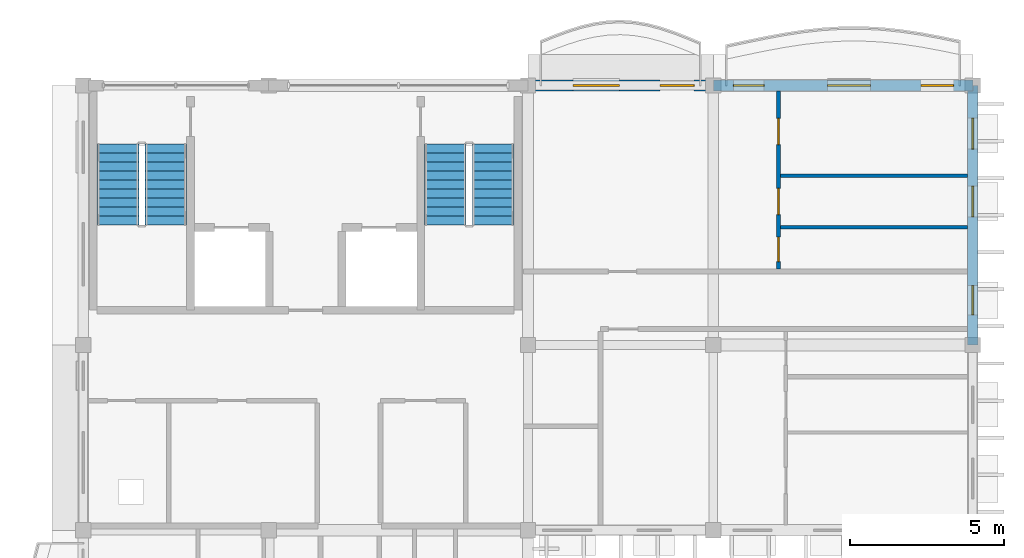
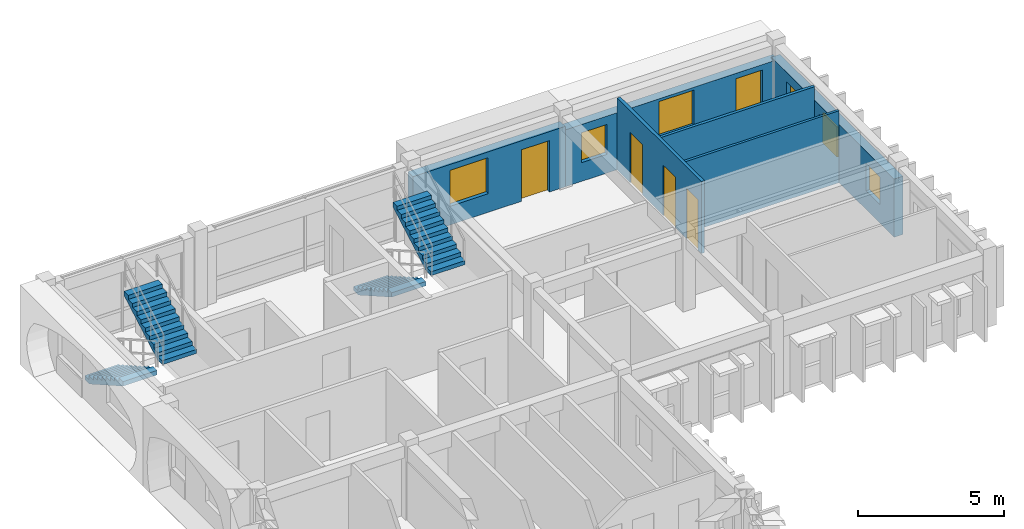
# One storey, part 7 of 11: 6 walls, 6 windows, 5 doors, 4 stair flights, 11 openings, 2 elements without a shape of their own.
"""IFC4 building model written with IfcOpenShell, lengths in metres."""

from ifc_helpers import new_model, si_unit, direction, frame, frame_2d, origin, place, context, subcontext, project, spatial, polyline, rectangle, outline, extrude, material, layer, layer_set, type_object, element, fill, aggregate, save


model = new_model("IFC4")

# Units and contexts
model_context = context("Model", 3, precision=1e-05, world=origin(), true_north=direction((0.0, 1.0)))
body_context = subcontext(model_context, "Body", "Model", "MODEL_VIEW")
ifc_project = project(units=[si_unit("LENGTHUNIT", "METRE"), si_unit("AREAUNIT", "SQUARE_METRE"), si_unit("VOLUMEUNIT", "CUBIC_METRE"), si_unit("PLANEANGLEUNIT", "RADIAN"), si_unit("MASSUNIT", "GRAM", prefix="KILO"), si_unit("THERMODYNAMICTEMPERATUREUNIT", "KELVIN")], contexts=[model_context])

# Site, building, storey
site_placement = place(None, origin())
site = spatial("IfcSite", under=ifc_project, at=site_placement, CompositionType="ELEMENT")
building_placement = place(site_placement, origin())
building = spatial("IfcBuilding", under=site, at=building_placement, Name="Thalorik Housing Commons", CompositionType="ELEMENT")
storey_placement = place(building_placement, frame((0.0, 0.0, 47.699951171875)))
storey = spatial("IfcBuildingStorey", under=building, at=storey_placement, Name="L14", CompositionType="ELEMENT", Elevation=47.699951171875)

# Wall, openings, windows
ifc_material_1 = material(Name="White precast concrete C40/50", Category="concrete")
ifc_layer_1 = layer(ifc_material_1, 0.35009765625, Name="White precast concrete C40/50", Category="concrete")
ifc_layer_set_1 = layer_set([ifc_layer_1], Name="White precast concrete C40/50")
wall_type_1 = type_object("IfcWallType", Name="ARC-WAL-EXT-350", PredefinedType="STANDARD", material=ifc_layer_set_1)
wall_1_placement = place(storey_placement, frame((37.199951171875, 115.199951171875, 0.0), z_axis=(0.0, 0.0, 1.0), x_axis=(0.0, 1.0, 0.0)))
wall_1 = element("IfcWall", 1, at=wall_1_placement, inside=storey, type_object=wall_type_1, Name="L14 Exterior Wall WAL-EXT-L14-A-0336", PredefinedType="STANDARD", context=body_context, shape_type="SweptSolid", body=[
    extrude(rectangle(XDim=8.400146484375, YDim=0.35009765625, at=frame_2d((4.2001953125, 0.0))), origin(), (0.0, 0.0, 1.0), 2.425048828125),
])
opening_1_placement = place(wall_1_placement, frame((0.97509765625, 0.0, 0.780029296875)))
opening_1 = element("IfcOpeningElement", 2, at=opening_1_placement, cuts=wall_1, Name="Opening W-43", PredefinedType="OPENING", context=body_context, shape_type="SweptSolid", body=[
    extrude(rectangle(XDim=0.949951171875, YDim=1.14990234375, at=frame_2d((0.47509765625, 0.574951171875))), frame((0.0, 0.18505859375, 0.0), z_axis=(0.0, -1.0, 0.0), x_axis=(1.0, 0.0, 0.0)), (0.0, 0.0, 1.0), 0.3701171875),
])
opening_2_placement = place(wall_1_placement, frame((4.144775390625, 0.0, 0.780029296875)))
opening_2 = element("IfcOpeningElement", 3, at=opening_2_placement, cuts=wall_1, Name="Opening W-02", PredefinedType="OPENING", context=body_context, shape_type="SweptSolid", body=[
    extrude(rectangle(XDim=1.0, YDim=1.25, at=frame_2d((0.5, 0.625))), frame((0.0, 0.18505859375, 0.0), z_axis=(0.0, -1.0, 0.0), x_axis=(1.0, 0.0, 0.0)), (0.0, 0.0, 1.0), 0.3701171875),
])
opening_3_placement = place(wall_1_placement, frame((6.344482421875, 0.0, 0.780029296875)))
opening_3 = element("IfcOpeningElement", 4, at=opening_3_placement, cuts=wall_1, Name="Opening W-02", PredefinedType="OPENING", context=body_context, shape_type="SweptSolid", body=[
    extrude(rectangle(XDim=1.0, YDim=1.25, at=frame_2d((0.5, 0.625))), frame((0.0, 0.18505859375, 0.0), z_axis=(0.0, -1.0, 0.0), x_axis=(1.0, 0.0, 0.0)), (0.0, 0.0, 1.0), 0.3701171875),
])
ifc_material_2 = material(Name="Anodised aluminium and solar-control low-E glass", Category="aluminium")
window_type_1 = type_object("IfcWindowType", Name="ARC-WIN-02", PartitioningType="SINGLE_PANEL", PredefinedType="WINDOW", material=ifc_material_2)
window_1_placement = place(opening_2_placement, origin())
window_1 = element("IfcWindow", 5, at=window_1_placement, inside=storey, type_object=window_type_1, Name="L14 Facade Window 602", OverallHeight=1.25, OverallWidth=1.0, PartitioningType="SINGLE_PANEL", PredefinedType="WINDOW", context=body_context, shape_type="SweptSolid", body=[
    extrude(rectangle(XDim=1.0, YDim=1.25, at=frame_2d((0.5, 0.625))), frame((0.0, 0.030029296875, 0.0), z_axis=(0.0, -1.0, 0.0), x_axis=(1.0, 0.0, 0.0)), (0.0, 0.0, 1.0), 0.06005859375),
])
fill(opening_2, window_1)
window_2_placement = place(opening_3_placement, origin())
window_2 = element("IfcWindow", 6, at=window_2_placement, inside=storey, type_object=window_type_1, Name="L14 Facade Window 603", OverallHeight=1.25, OverallWidth=1.0, PartitioningType="SINGLE_PANEL", PredefinedType="WINDOW", context=body_context, shape_type="SweptSolid", body=[
    extrude(rectangle(XDim=1.0, YDim=1.25, at=frame_2d((0.5, 0.625))), frame((0.0, 0.030029296875, 0.0), z_axis=(0.0, -1.0, 0.0), x_axis=(1.0, 0.0, 0.0)), (0.0, 0.0, 1.0), 0.06005859375),
])
fill(opening_3, window_2)
window_type_2 = type_object("IfcWindowType", Name="ARC-WIN-43", PartitioningType="SINGLE_PANEL", PredefinedType="WINDOW", material=ifc_material_2)
window_3_placement = place(opening_1_placement, origin())
window_3 = element("IfcWindow", 7, at=window_3_placement, inside=storey, type_object=window_type_2, Name="L14 Facade Window 601", OverallHeight=1.14990234375, OverallWidth=0.949951171875, PartitioningType="SINGLE_PANEL", PredefinedType="WINDOW", context=body_context, shape_type="SweptSolid", body=[
    extrude(rectangle(XDim=0.949951171875, YDim=1.14990234375, at=frame_2d((0.47509765625, 0.574951171875))), frame((0.0, 0.030029296875, 0.0), z_axis=(0.0, -1.0, 0.0), x_axis=(1.0, 0.0, 0.0)), (0.0, 0.0, 1.0), 0.06005859375),
])
fill(opening_1, window_3)

# Wall, openings, door, windows
wall_2_placement = place(storey_placement, frame((37.199951171875, 123.60009765625, 0.0), z_axis=(0.0, 0.0, 1.0), x_axis=(-1.0, 0.0, 0.0)))
wall_2 = element("IfcWall", 8, at=wall_2_placement, inside=storey, type_object=wall_type_1, Name="L14 Exterior Wall WAL-EXT-L14-A-0337", PredefinedType="STANDARD", context=body_context, shape_type="SweptSolid", body=[
    extrude(rectangle(XDim=8.39990234375, YDim=0.35009765625, at=frame_2d((4.199951171875, 0.0))), origin(), (0.0, 0.0, 1.0), 2.375),
])
opening_4_placement = place(wall_2_placement, frame((0.6201171875, 0.0, 0.0)))
opening_4 = element("IfcOpeningElement", 9, at=opening_4_placement, cuts=wall_2, Name="Opening ED-0106", PredefinedType="OPENING", context=body_context, shape_type="SweptSolid", body=[
    extrude(rectangle(XDim=1.050048828125, YDim=2.14990234375, at=frame_2d((0.52490234375, 1.074951171875))), frame((0.0, 0.18505859375, 0.0), z_axis=(0.0, -1.0, 0.0), x_axis=(1.0, 0.0, 0.0)), (0.0, 0.0, 1.0), 0.3701171875),
])
opening_5_placement = place(wall_2_placement, frame((3.3173828125, 0.0, 0.780029296875)))
opening_5 = element("IfcOpeningElement", 10, at=opening_5_placement, cuts=wall_2, Name="Opening W-49", PredefinedType="OPENING", context=body_context, shape_type="SweptSolid", body=[
    extrude(rectangle(XDim=1.3798828125, YDim=1.47998046875, at=frame_2d((0.68994140625, 0.739990234375))), frame((0.0, 0.18505859375, 0.0), z_axis=(0.0, -1.0, 0.0), x_axis=(1.0, 0.0, 0.0)), (0.0, 0.0, 1.0), 0.3701171875),
])
opening_6_placement = place(wall_2_placement, frame((6.75244140625, 0.0, 0.780029296875)))
opening_6 = element("IfcOpeningElement", 11, at=opening_6_placement, cuts=wall_2, Name="Opening W-02", PredefinedType="OPENING", context=body_context, shape_type="SweptSolid", body=[
    extrude(rectangle(XDim=1.0, YDim=1.25, at=frame_2d((0.5, 0.625))), frame((0.0, 0.18505859375, 0.0), z_axis=(0.0, -1.0, 0.0), x_axis=(1.0, 0.0, 0.0)), (0.0, 0.0, 1.0), 0.3701171875),
])
ifc_material_3 = material(Name="Anodised aluminium and laminated safety glass", Category="aluminium")
door_type_1 = type_object("IfcDoorType", Name="ARC-DR-BAL-1050", OperationType="NOTDEFINED", PredefinedType="DOOR", material=ifc_material_3)
door_1_placement = place(opening_4_placement, frame((1.050048828125, 0.0, 0.0), z_axis=(0.0, 0.0, 1.0), x_axis=(-1.0, 0.0, 0.0)))
door_1 = element("IfcDoor", 12, at=door_1_placement, inside=storey, type_object=door_type_1, Name="L14 Block A Balcony Glazed Door", OperationType="SINGLE_SWING_LEFT", OverallHeight=2.14990234375, OverallWidth=1.050048828125, PredefinedType="DOOR", context=body_context, shape_type="SweptSolid", body=[
    extrude(rectangle(XDim=1.050048828125, YDim=2.14990234375, at=frame_2d((0.52490234375, 1.074951171875))), frame((0.0, 0.02490234375, 0.0), z_axis=(0.0, -1.0, 0.0), x_axis=(1.0, 0.0, 0.0)), (0.0, 0.0, 1.0), 0.050048828125),
])
fill(opening_4, door_1)
window_4_placement = place(opening_6_placement, origin())
window_4 = element("IfcWindow", 13, at=window_4_placement, inside=storey, type_object=window_type_1, Name="L14 Facade Window 605", OverallHeight=1.25, OverallWidth=1.0, PartitioningType="SINGLE_PANEL", PredefinedType="WINDOW", context=body_context, shape_type="SweptSolid", body=[
    extrude(rectangle(XDim=1.0, YDim=1.25, at=frame_2d((0.5, 0.625))), frame((0.0, 0.030029296875, 0.0), z_axis=(0.0, -1.0, 0.0), x_axis=(1.0, 0.0, 0.0)), (0.0, 0.0, 1.0), 0.06005859375),
])
fill(opening_6, window_4)
window_type_3 = type_object("IfcWindowType", Name="ARC-WIN-49", PartitioningType="SINGLE_PANEL", PredefinedType="WINDOW", material=ifc_material_2)
window_5_placement = place(opening_5_placement, origin())
window_5 = element("IfcWindow", 14, at=window_5_placement, inside=storey, type_object=window_type_3, Name="L14 Facade Window 604", OverallHeight=1.47998046875, OverallWidth=1.3798828125, PartitioningType="SINGLE_PANEL", PredefinedType="WINDOW", context=body_context, shape_type="SweptSolid", body=[
    extrude(rectangle(XDim=1.3798828125, YDim=1.47998046875, at=frame_2d((0.68994140625, 0.739990234375))), frame((0.0, 0.030029296875, 0.0), z_axis=(0.0, -1.0, 0.0), x_axis=(1.0, 0.0, 0.0)), (0.0, 0.0, 1.0), 0.06005859375),
])
fill(opening_5, window_5)

# Wall, openings, door, window
wall_3_placement = place(storey_placement, frame((28.800048828125, 123.60009765625, 0.0), z_axis=(0.0, 0.0, 1.0), x_axis=(-1.0, 0.0, 0.0)))
wall_3 = element("IfcWall", 15, at=wall_3_placement, inside=storey, type_object=wall_type_1, Name="L14 Exterior Wall WAL-EXT-L14-A-0338", PredefinedType="STANDARD", context=body_context, shape_type="SweptSolid", body=[
    extrude(rectangle(XDim=6.0, YDim=0.35009765625, at=frame_2d((3.0, 0.0))), origin(), (0.0, 0.0, 1.0), 2.525146484375),
])
opening_7_placement = place(wall_3_placement, frame((0.6201171875, 0.0, 0.0)))
opening_7 = element("IfcOpeningElement", 16, at=opening_7_placement, cuts=wall_3, Name="Opening ED-0107", PredefinedType="OPENING", context=body_context, shape_type="SweptSolid", body=[
    extrude(rectangle(XDim=1.10009765625, YDim=2.14990234375, at=frame_2d((0.550048828125, 1.074951171875))), frame((0.0, 0.18505859375, 0.0), z_axis=(0.0, -1.0, 0.0), x_axis=(1.0, 0.0, 0.0)), (0.0, 0.0, 1.0), 0.3701171875),
])
opening_8_placement = place(wall_3_placement, frame((3.0400390625, 0.0, 0.780029296875)))
opening_8 = element("IfcOpeningElement", 17, at=opening_8_placement, cuts=wall_3, Name="Opening W-10", PredefinedType="OPENING", context=body_context, shape_type="SweptSolid", body=[
    extrude(rectangle(XDim=1.5, YDim=1.5, at=frame_2d((0.75, 0.75))), frame((0.0, 0.18505859375, 0.0), z_axis=(0.0, -1.0, 0.0), x_axis=(1.0, 0.0, 0.0)), (0.0, 0.0, 1.0), 0.3701171875),
])
door_type_2 = type_object("IfcDoorType", Name="ARC-DR-BAL-1100", OperationType="NOTDEFINED", PredefinedType="DOOR", material=ifc_material_3)
door_2_placement = place(opening_7_placement, frame((1.10009765625, 0.0, 0.0), z_axis=(0.0, 0.0, 1.0), x_axis=(-1.0, 0.0, 0.0)))
door_2 = element("IfcDoor", 18, at=door_2_placement, inside=storey, type_object=door_type_2, Name="L14 Block A Balcony Glazed Door", OperationType="SINGLE_SWING_RIGHT", OverallHeight=2.14990234375, OverallWidth=1.10009765625, PredefinedType="DOOR", context=body_context, shape_type="SweptSolid", body=[
    extrude(rectangle(XDim=1.10009765625, YDim=2.14990234375, at=frame_2d((0.550048828125, 1.074951171875))), frame((0.0, 0.02490234375, 0.0), z_axis=(0.0, -1.0, 0.0), x_axis=(1.0, 0.0, 0.0)), (0.0, 0.0, 1.0), 0.050048828125),
])
fill(opening_7, door_2)
window_type_4 = type_object("IfcWindowType", Name="ARC-WIN-10", PartitioningType="SINGLE_PANEL", PredefinedType="WINDOW", material=ifc_material_2)
window_6_placement = place(opening_8_placement, origin())
window_6 = element("IfcWindow", 19, at=window_6_placement, inside=storey, type_object=window_type_4, Name="L14 Facade Window 606", OverallHeight=1.5, OverallWidth=1.5, PartitioningType="SINGLE_PANEL", PredefinedType="WINDOW", context=body_context, shape_type="SweptSolid", body=[
    extrude(rectangle(XDim=1.5, YDim=1.5, at=frame_2d((0.75, 0.75))), frame((0.0, 0.030029296875, 0.0), z_axis=(0.0, -1.0, 0.0), x_axis=(1.0, 0.0, 0.0)), (0.0, 0.0, 1.0), 0.06005859375),
])
fill(opening_8, window_6)

# Walls
ifc_material_4 = material(Name="Gypsum light stud partition", Category="masonry")
ifc_layer_2 = layer(ifc_material_4, 0.10009765625, Name="Gypsum light stud partition", Category="masonry")
ifc_layer_set_2 = layer_set([ifc_layer_2], Name="Gypsum light stud partition")
wall_type_2 = type_object("IfcWallType", Name="ARC-WAL-PART-100", PredefinedType="PARTITIONING", material=ifc_layer_set_2)
wall_4_placement = place(storey_placement, frame((30.9697265625, 119.010498046875, 0.0), z_axis=(0.0, 0.0, 1.0), x_axis=(1.0, 0.0, 0.0)))
element("IfcWall", 20, at=wall_4_placement, inside=storey, type_object=wall_type_2, Name="L14 Unit 1B Wet Wall", PredefinedType="PARTITIONING", context=body_context, shape_type="SweptSolid", body=[
    extrude(rectangle(XDim=6.05322265625, YDim=0.10009765625, at=frame_2d((3.026611328125, 0.0))), origin(), (0.0, 0.0, 1.0), 3.0),
])
ifc_material_5 = material(Name="Gypsum moisture-resistant partition", Category="masonry")
ifc_layer_3 = layer(ifc_material_5, 0.114990234375, Name="Gypsum moisture-resistant partition", Category="masonry")
ifc_layer_set_3 = layer_set([ifc_layer_3], Name="Gypsum moisture-resistant partition")
wall_type_3 = type_object("IfcWallType", Name="ARC-WAL-PART-115", PredefinedType="PARTITIONING", material=ifc_layer_set_3)
wall_5_placement = place(storey_placement, frame((30.9697265625, 120.67919921875, 0.0), z_axis=(0.0, 0.0, 1.0), x_axis=(1.0, 0.0, 0.0)))
element("IfcWall", 21, at=wall_5_placement, inside=storey, type_object=wall_type_3, Name="L14 Unit 1B Bedroom Partition", PredefinedType="PARTITIONING", context=body_context, shape_type="SweptSolid", body=[
    extrude(rectangle(XDim=6.05322265625, YDim=0.114990234375, at=frame_2d((3.026611328125, 0.0))), origin(), (0.0, 0.0, 1.0), 3.0),
])

# Wall, openings, doors
ifc_material_6 = material(Name="Gypsum acoustic stud partition", Category="masonry")
ifc_layer_4 = layer(ifc_material_6, 0.125, Name="Gypsum acoustic stud partition", Category="masonry")
ifc_layer_set_4 = layer_set([ifc_layer_4], Name="Gypsum acoustic stud partition")
wall_type_4 = type_object("IfcWallType", Name="ARC-WAL-PART-125", PredefinedType="PARTITIONING", material=ifc_layer_set_4)
wall_6_placement = place(storey_placement, frame((30.9052734375, 117.656982421875, 0.0), z_axis=(0.0, 0.0, 1.0), x_axis=(0.0, 1.0, 0.0)))
wall_6 = element("IfcWall", 22, at=wall_6_placement, inside=storey, type_object=wall_type_4, Name="L14 Unit 1B Spine Partition", PredefinedType="PARTITIONING", context=body_context, shape_type="SweptSolid", body=[
    extrude(rectangle(XDim=5.76611328125, YDim=0.125, at=frame_2d((2.883056640625, 0.0))), origin(), (0.0, 0.0, 1.0), 3.0),
])
opening_9_placement = place(wall_6_placement, frame((0.23828125, 0.0, 0.0)))
opening_9 = element("IfcOpeningElement", 23, at=opening_9_placement, cuts=wall_6, Name="Opening ID-0952", PredefinedType="OPENING", context=body_context, shape_type="SweptSolid", body=[
    extrude(rectangle(XDim=0.800048828125, YDim=2.10009765625, at=frame_2d((0.39990234375, 1.050048828125))), frame((0.0, 0.072509765625, 0.0), z_axis=(0.0, -1.0, 0.0), x_axis=(1.0, 0.0, 0.0)), (0.0, 0.0, 1.0), 0.14501953125),
])
opening_10_placement = place(wall_6_placement, frame((1.7626953125, 0.0, 0.0)))
opening_10 = element("IfcOpeningElement", 24, at=opening_10_placement, cuts=wall_6, Name="Opening ID-0953", PredefinedType="OPENING", context=body_context, shape_type="SweptSolid", body=[
    extrude(rectangle(XDim=0.85009765625, YDim=2.10009765625, at=frame_2d((0.425048828125, 1.050048828125))), frame((0.0, 0.072509765625, 0.0), z_axis=(0.0, -1.0, 0.0), x_axis=(1.0, 0.0, 0.0)), (0.0, 0.0, 1.0), 0.14501953125),
])
opening_11_placement = place(wall_6_placement, frame((4.027587890625, 0.0, 0.0)))
opening_11 = element("IfcOpeningElement", 25, at=opening_11_placement, cuts=wall_6, Name="Opening ID-0954", PredefinedType="OPENING", context=body_context, shape_type="SweptSolid", body=[
    extrude(rectangle(XDim=0.85009765625, YDim=2.10009765625, at=frame_2d((0.425048828125, 1.050048828125))), frame((0.0, 0.072509765625, 0.0), z_axis=(0.0, -1.0, 0.0), x_axis=(1.0, 0.0, 0.0)), (0.0, 0.0, 1.0), 0.14501953125),
])
ifc_material_7 = material(Name="Moisture-resistant timber", Category="wood")
door_type_3 = type_object("IfcDoorType", Name="ARC-DR-INT-800", OperationType="NOTDEFINED", PredefinedType="DOOR", material=ifc_material_7)
door_3_placement = place(opening_9_placement, origin())
door_3 = element("IfcDoor", 26, at=door_3_placement, inside=storey, type_object=door_type_3, Name="L14 Accessible Bathroom Door", OperationType="SINGLE_SWING_LEFT", OverallHeight=2.10009765625, OverallWidth=0.800048828125, PredefinedType="DOOR", context=body_context, shape_type="SweptSolid", body=[
    extrude(rectangle(XDim=0.800048828125, YDim=2.10009765625, at=frame_2d((0.39990234375, 1.050048828125))), frame((0.0, 0.02490234375, 0.0), z_axis=(0.0, -1.0, 0.0), x_axis=(1.0, 0.0, 0.0)), (0.0, 0.0, 1.0), 0.050048828125),
])
fill(opening_9, door_3)
ifc_material_8 = material(Name="Engineered oak timber", Category="wood")
door_type_4 = type_object("IfcDoorType", Name="ARC-DR-INT-850", OperationType="NOTDEFINED", PredefinedType="DOOR", material=ifc_material_8)
door_4_placement = place(opening_10_placement, origin())
door_4 = element("IfcDoor", 27, at=door_4_placement, inside=storey, type_object=door_type_4, Name="L14 Galley Kitchen Door", OperationType="SINGLE_SWING_RIGHT", OverallHeight=2.10009765625, OverallWidth=0.85009765625, PredefinedType="DOOR", context=body_context, shape_type="SweptSolid", body=[
    extrude(rectangle(XDim=0.85009765625, YDim=2.10009765625, at=frame_2d((0.425048828125, 1.050048828125))), frame((0.0, 0.02490234375, 0.0), z_axis=(0.0, -1.0, 0.0), x_axis=(1.0, 0.0, 0.0)), (0.0, 0.0, 1.0), 0.050048828125),
])
fill(opening_10, door_4)
door_5_placement = place(opening_11_placement, origin())
door_5 = element("IfcDoor", 28, at=door_5_placement, inside=storey, type_object=door_type_4, Name="L14 Double Bedroom Door", OperationType="SINGLE_SWING_LEFT", OverallHeight=2.10009765625, OverallWidth=0.85009765625, PredefinedType="DOOR", context=body_context, shape_type="SweptSolid", body=[
    extrude(rectangle(XDim=0.85009765625, YDim=2.10009765625, at=frame_2d((0.425048828125, 1.050048828125))), frame((0.0, 0.02490234375, 0.0), z_axis=(0.0, -1.0, 0.0), x_axis=(1.0, 0.0, 0.0)), (0.0, 0.0, 1.0), 0.050048828125),
])
fill(opening_11, door_5)

# Stair, stair flights
ifc_material_9 = material(Name="Precast concrete C40/50", Category="concrete")
stair_type = type_object("IfcStairType", Name="ARC-STR-1350-R20", PredefinedType="HALF_TURN_STAIR", material=ifc_material_9)
stair_1_placement = place(storey_placement, origin())
stair_1 = element("IfcStair", 29, at=stair_1_placement, inside=storey, type_object=stair_type, Name="L14 Block A Smoke-Proof Stair 1", PredefinedType="HALF_TURN_STAIR")
stair_flight_type = type_object("IfcStairFlightType", Name="ARC-SFLT-1350-R10", PredefinedType="STRAIGHT", material=ifc_material_9)
stair_flight_1_placement = place(storey_placement, frame((9.52490234375, 121.699951171875, 0.0), z_axis=(0.0, 0.0, 1.0), x_axis=(0.0, -1.0, 0.0)))
stair_flight_1 = element("IfcStairFlight", 30, at=stair_flight_1_placement, type_object=stair_flight_type, Name="ST-A1 flight 1", NumberOfRisers=10, NumberOfTreads=9, PredefinedType="STRAIGHT", RiserHeight=0.165, TreadLength=0.29, context=body_context, shape_type="SweptSolid", body=[
    extrude(outline(polyline([(0.0, 0.0), (0.0, 0.1650390625), (0.2900390625, 0.1650390625), (0.2900390625, 0.330078125), (0.580078125, 0.330078125), (0.580078125, 0.4951171875), (0.8701171875, 0.4951171875), (0.8701171875, 0.659912109375), (1.159912109375, 0.659912109375), (1.159912109375, 0.824951171875), (1.449951171875, 0.824951171875), (1.449951171875, 0.989990234375), (1.739990234375, 0.989990234375), (1.739990234375, 1.155029296875), (2.030029296875, 1.155029296875), (2.030029296875, 1.320068359375), (2.320068359375, 1.320068359375), (2.320068359375, 1.485107421875), (2.610107421875, 1.485107421875), (2.610107421875, 1.64990234375), (2.610107421875, 1.301025390625), (0.323486328125, 0.0), (0.0, 0.0)])), frame((0.0, 0.675048828125, 0.0), z_axis=(0.0, -1.0, 0.0), x_axis=(1.0, 0.0, 0.0)), (0.0, 0.0, 1.0), 1.35009765625),
])
stair_flight_2_placement = place(storey_placement, frame((11.074951171875, 119.090087890625, 1.650146484375), z_axis=(0.0, 0.0, 1.0), x_axis=(0.0, 1.0, 0.0)))
stair_flight_2 = element("IfcStairFlight", 31, at=stair_flight_2_placement, type_object=stair_flight_type, Name="ST-A1 flight 2", NumberOfRisers=10, NumberOfTreads=9, PredefinedType="STRAIGHT", RiserHeight=0.165, TreadLength=0.29, context=body_context, shape_type="SweptSolid", body=[
    extrude(outline(polyline([(0.0, 0.0), (0.0, 0.1650390625), (0.2900390625, 0.1650390625), (0.2900390625, 0.330078125), (0.580078125, 0.330078125), (0.580078125, 0.4951171875), (0.8701171875, 0.4951171875), (0.8701171875, 0.659912109375), (1.159912109375, 0.659912109375), (1.159912109375, 0.824951171875), (1.449951171875, 0.824951171875), (1.449951171875, 0.989990234375), (1.739990234375, 0.989990234375), (1.739990234375, 1.155029296875), (2.030029296875, 1.155029296875), (2.030029296875, 1.320068359375), (2.320068359375, 1.320068359375), (2.320068359375, 1.485107421875), (2.610107421875, 1.485107421875), (2.610107421875, 1.64990234375), (2.610107421875, 1.301025390625), (0.323486328125, 0.0), (0.0, 0.0)])), frame((0.0, 0.675048828125, 0.0), z_axis=(0.0, -1.0, 0.0), x_axis=(1.0, 0.0, 0.0)), (0.0, 0.0, 1.0), 1.35009765625),
])
aggregate(stair_1, [stair_flight_1, stair_flight_2])

stair_2_placement = place(storey_placement, origin())
stair_2 = element("IfcStair", 32, at=stair_2_placement, inside=storey, type_object=stair_type, Name="L14 Block A Smoke-Proof Stair 2", PredefinedType="HALF_TURN_STAIR")
stair_flight_3_placement = place(storey_placement, frame((20.125, 121.699951171875, 0.0), z_axis=(0.0, 0.0, 1.0), x_axis=(0.0, -1.0, 0.0)))
stair_flight_3 = element("IfcStairFlight", 33, at=stair_flight_3_placement, type_object=stair_flight_type, Name="ST-A2 flight 1", NumberOfRisers=10, NumberOfTreads=9, PredefinedType="STRAIGHT", RiserHeight=0.165, TreadLength=0.29, context=body_context, shape_type="SweptSolid", body=[
    extrude(outline(polyline([(0.0, 0.0), (0.0, 0.1650390625), (0.2900390625, 0.1650390625), (0.2900390625, 0.330078125), (0.580078125, 0.330078125), (0.580078125, 0.4951171875), (0.8701171875, 0.4951171875), (0.8701171875, 0.659912109375), (1.159912109375, 0.659912109375), (1.159912109375, 0.824951171875), (1.449951171875, 0.824951171875), (1.449951171875, 0.989990234375), (1.739990234375, 0.989990234375), (1.739990234375, 1.155029296875), (2.030029296875, 1.155029296875), (2.030029296875, 1.320068359375), (2.320068359375, 1.320068359375), (2.320068359375, 1.485107421875), (2.610107421875, 1.485107421875), (2.610107421875, 1.64990234375), (2.610107421875, 1.301025390625), (0.323486328125, 0.0), (0.0, 0.0)])), frame((0.0, 0.675048828125, 0.0), z_axis=(0.0, -1.0, 0.0), x_axis=(1.0, 0.0, 0.0)), (0.0, 0.0, 1.0), 1.35009765625),
])
stair_flight_4_placement = place(storey_placement, frame((21.675048828125, 119.090087890625, 1.650146484375), z_axis=(0.0, 0.0, 1.0), x_axis=(0.0, 1.0, 0.0)))
stair_flight_4 = element("IfcStairFlight", 34, at=stair_flight_4_placement, type_object=stair_flight_type, Name="ST-A2 flight 2", NumberOfRisers=10, NumberOfTreads=9, PredefinedType="STRAIGHT", RiserHeight=0.165, TreadLength=0.29, context=body_context, shape_type="SweptSolid", body=[
    extrude(outline(polyline([(0.0, 0.0), (0.0, 0.1650390625), (0.2900390625, 0.1650390625), (0.2900390625, 0.330078125), (0.580078125, 0.330078125), (0.580078125, 0.4951171875), (0.8701171875, 0.4951171875), (0.8701171875, 0.659912109375), (1.159912109375, 0.659912109375), (1.159912109375, 0.824951171875), (1.449951171875, 0.824951171875), (1.449951171875, 0.989990234375), (1.739990234375, 0.989990234375), (1.739990234375, 1.155029296875), (2.030029296875, 1.155029296875), (2.030029296875, 1.320068359375), (2.320068359375, 1.320068359375), (2.320068359375, 1.485107421875), (2.610107421875, 1.485107421875), (2.610107421875, 1.64990234375), (2.610107421875, 1.301025390625), (0.323486328125, 0.0), (0.0, 0.0)])), frame((0.0, 0.675048828125, 0.0), z_axis=(0.0, -1.0, 0.0), x_axis=(1.0, 0.0, 0.0)), (0.0, 0.0, 1.0), 1.35009765625),
])
aggregate(stair_2, [stair_flight_3, stair_flight_4])

save(model, "model.ifc")
